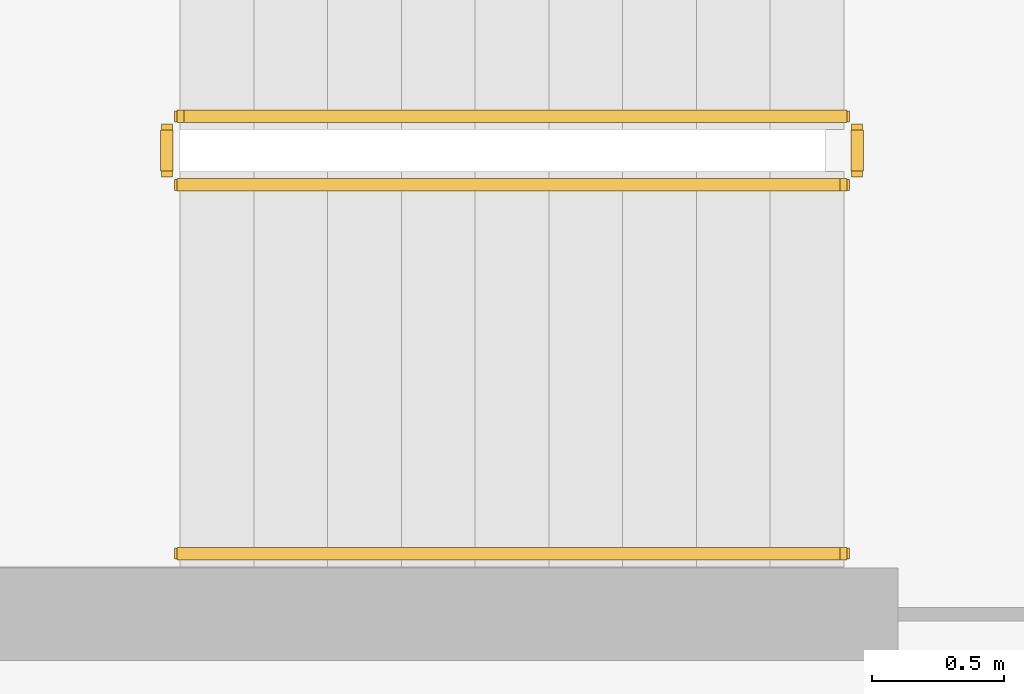
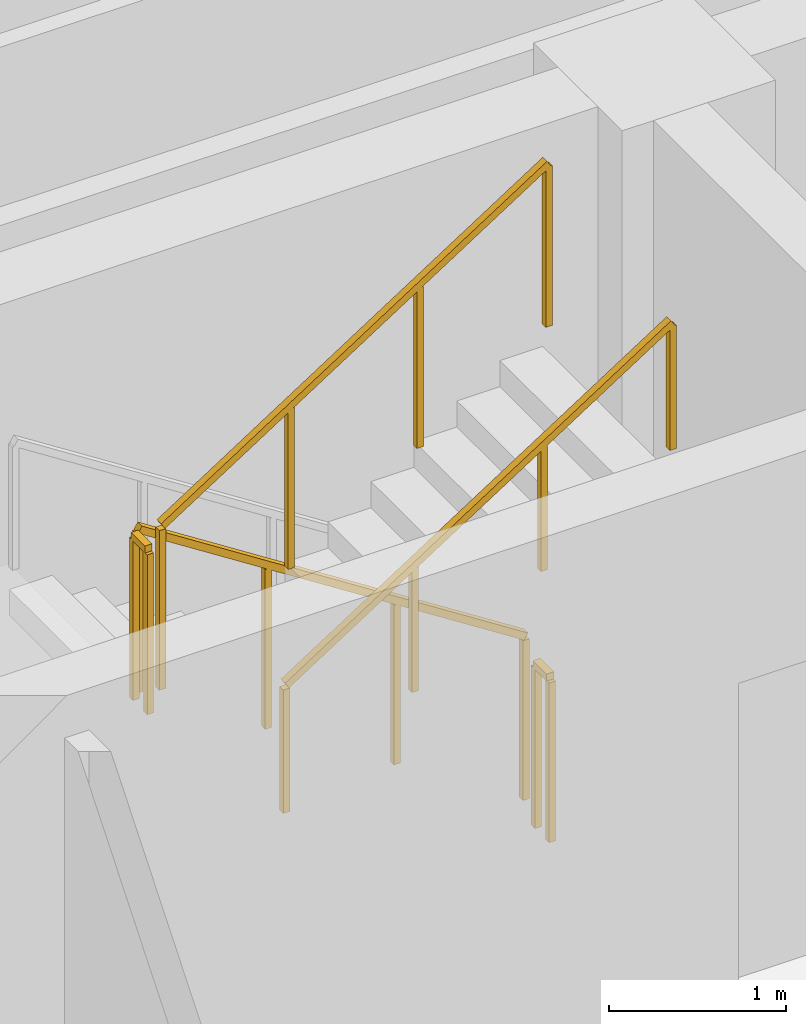
# One storey, part 11 of 13: 5 railings.
"""IFC4 building model written with IfcOpenShell, lengths in metres."""

from ifc_helpers import new_model, si_unit, direction, frame, origin, origin_2d, place, context, subcontext, project, spatial, rectangle, extrude, material, type_object, element, save


model = new_model("IFC4")

# Units and contexts
model_context = context("Model", 3, precision=1e-05, world=origin(), true_north=direction((0.0, 1.0)))
body_context = subcontext(model_context, "Body", "Model", "MODEL_VIEW")
ifc_project = project(units=[si_unit("LENGTHUNIT", "METRE"), si_unit("AREAUNIT", "SQUARE_METRE"), si_unit("VOLUMEUNIT", "CUBIC_METRE"), si_unit("PLANEANGLEUNIT", "RADIAN"), si_unit("MASSUNIT", "GRAM", prefix="KILO")], contexts=[model_context])

# Site, building, storey
site_placement = place(None, origin())
site = spatial("IfcSite", under=ifc_project, at=site_placement, CompositionType="ELEMENT")
building_placement = place(site_placement, origin())
building = spatial("IfcBuilding", under=site, at=building_placement, Name="Zarnavel Station Tower", CompositionType="ELEMENT")
storey_placement = place(building_placement, frame((0.0, 0.0, 236.39990234375)))
storey = spatial("IfcBuildingStorey", under=building, at=storey_placement, Name="L64", CompositionType="ELEMENT", Elevation=236.39990234375)

# Railings
ifc_material_1 = material(Name="Painted Steel S355J2 Balustrade", Category="steel")
railing_type_1 = type_object("IfcRailingType", Name="GR_INT_1150", PredefinedType="GUARDRAIL", material=ifc_material_1)
railing_1_placement = place(storey_placement, frame((19.47998046875, 35.3701171875, 0.18017578125)))
element("IfcRailing", 1, at=railing_1_placement, inside=storey, type_object=railing_type_1, Name="L64 ST1 stair guard 1", PredefinedType="GUARDRAIL", context=body_context, shape_type="SweptSolid", body=[
    extrude(rectangle(XDim=0.048095703125, YDim=0.048095703125, at=origin_2d()), frame((-0.001708984375, 0.0, 1.126953125), z_axis=(-0.841199657755, 0.0, 0.540724639528), x_axis=(0.0, -1.0, 0.0)), (0.0, 0.0, 1.0), 2.99169921875),
    extrude(rectangle(XDim=0.0419921875, YDim=0.0419921875, at=origin_2d()), origin(), (0.0, 0.0, 1.0), 1.101806640625),
    extrude(rectangle(XDim=0.0419921875, YDim=0.0419921875, at=origin_2d()), frame((-0.840087890625, 0.0, 0.5400390625)), (0.0, 0.0, 1.0), 1.101806640625),
    extrude(rectangle(XDim=0.0419921875, YDim=0.0419921875, at=origin_2d()), frame((-1.679931640625, 0.0, 1.079833984375)), (0.0, 0.0, 1.0), 1.101806640625),
    extrude(rectangle(XDim=0.0419921875, YDim=0.0419921875, at=origin_2d()), frame((-2.52001953125, 0.0, 1.619873046875)), (0.0, 0.0, 1.0), 1.101806640625),
])
railing_2_placement = place(storey_placement, frame((16.909912109375, 35.320068359375, 1.800048828125)))
element("IfcRailing", 2, at=railing_2_placement, inside=storey, type_object=railing_type_1, Name="L64 ST1 stair guard 2", PredefinedType="GUARDRAIL", context=body_context, shape_type="SweptSolid", body=[
    extrude(rectangle(XDim=0.048095703125, YDim=0.048095703125, at=origin_2d()), frame((0.0, -0.001953125, 1.1259765625), z_axis=(0.0, -1.0, 0.0), x_axis=(1.0, 0.0, 0.0)), (0.0, 0.0, 1.0), 0.15625),
    extrude(rectangle(XDim=0.0419921875, YDim=0.0419921875, at=origin_2d()), origin(), (0.0, 0.0, 1.0), 1.101806640625),
    extrude(rectangle(XDim=0.0419921875, YDim=0.0419921875, at=origin_2d()), frame((0.0, -0.16015625, 0.0)), (0.0, 0.0, 1.0), 1.101806640625),
])
railing_3_placement = place(storey_placement, frame((16.9599609375, 35.110107421875, 1.97998046875)))
element("IfcRailing", 3, at=railing_3_placement, inside=storey, type_object=railing_type_1, Name="L64 ST1 stair guard 3", PredefinedType="GUARDRAIL", context=body_context, shape_type="SweptSolid", body=[
    extrude(rectangle(XDim=0.048095703125, YDim=0.048095703125, at=origin_2d()), frame((0.001708984375, 0.0, 1.126953125), z_axis=(0.841162588446, 0.0, 0.540782303519), x_axis=(0.0, 1.0, 0.0)), (0.0, 0.0, 1.0), 2.991943359375),
    extrude(rectangle(XDim=0.0419921875, YDim=0.0419921875, at=origin_2d()), origin(), (0.0, 0.0, 1.0), 1.101806640625),
    extrude(rectangle(XDim=0.0419921875, YDim=0.0419921875, at=origin_2d()), frame((0.840087890625, 0.0, 0.5400390625)), (0.0, 0.0, 1.0), 1.101806640625),
    extrude(rectangle(XDim=0.0419921875, YDim=0.0419921875, at=origin_2d()), frame((1.679931640625, 0.0, 1.080078125)), (0.0, 0.0, 1.0), 1.101806640625),
    extrude(rectangle(XDim=0.0419921875, YDim=0.0419921875, at=origin_2d()), frame((2.52001953125, 0.0, 1.6201171875)), (0.0, 0.0, 1.0), 1.101806640625),
])
railing_4_placement = place(storey_placement, frame((19.530029296875, 35.320068359375, 0.0)))
element("IfcRailing", 4, at=railing_4_placement, inside=storey, type_object=railing_type_1, Name="L64 ST1 stair guard 4", PredefinedType="GUARDRAIL", context=body_context, shape_type="SweptSolid", body=[
    extrude(rectangle(XDim=0.048095703125, YDim=0.048095703125, at=origin_2d()), frame((0.0, -0.001953125, 1.1259765625), z_axis=(0.0, -1.0, 0.0), x_axis=(1.0, 0.0, 0.0)), (0.0, 0.0, 1.0), 0.15625),
    extrude(rectangle(XDim=0.0419921875, YDim=0.0419921875, at=origin_2d()), origin(), (0.0, 0.0, 1.0), 1.101806640625),
    extrude(rectangle(XDim=0.0419921875, YDim=0.0419921875, at=origin_2d()), frame((0.0, -0.16015625, 0.0)), (0.0, 0.0, 1.0), 1.101806640625),
])
ifc_material_2 = material(Name="Brushed Stainless Steel S355J2 Handrail", Category="steel")
railing_type_2 = type_object("IfcRailingType", Name="HR_STAIR_900", PredefinedType="HANDRAIL", material=ifc_material_2)
railing_5_placement = place(storey_placement, frame((16.9599609375, 33.7099609375, 1.97998046875)))
element("IfcRailing", 5, at=railing_5_placement, inside=storey, type_object=railing_type_2, Name="L64 ST1 stair handrail 2", PredefinedType="HANDRAIL", context=body_context, shape_type="SweptSolid", body=[
    extrude(rectangle(XDim=0.048095703125, YDim=0.048095703125, at=origin_2d()), frame((0.001708984375, 0.0, 0.876953125), z_axis=(0.841162588446, 0.0, 0.540782303519), x_axis=(0.0, 1.0, 0.0)), (0.0, 0.0, 1.0), 2.991943359375),
    extrude(rectangle(XDim=0.0419921875, YDim=0.0419921875, at=origin_2d()), origin(), (0.0, 0.0, 1.0), 0.851806640625),
    extrude(rectangle(XDim=0.0419921875, YDim=0.0419921875, at=origin_2d()), frame((0.840087890625, 0.0, 0.5400390625)), (0.0, 0.0, 1.0), 0.851806640625),
    extrude(rectangle(XDim=0.0419921875, YDim=0.0419921875, at=origin_2d()), frame((1.679931640625, 0.0, 1.080078125)), (0.0, 0.0, 1.0), 0.851806640625),
    extrude(rectangle(XDim=0.0419921875, YDim=0.0419921875, at=origin_2d()), frame((2.52001953125, 0.0, 1.6201171875)), (0.0, 0.0, 1.0), 0.851806640625),
])

save(model, "model.ifc")
